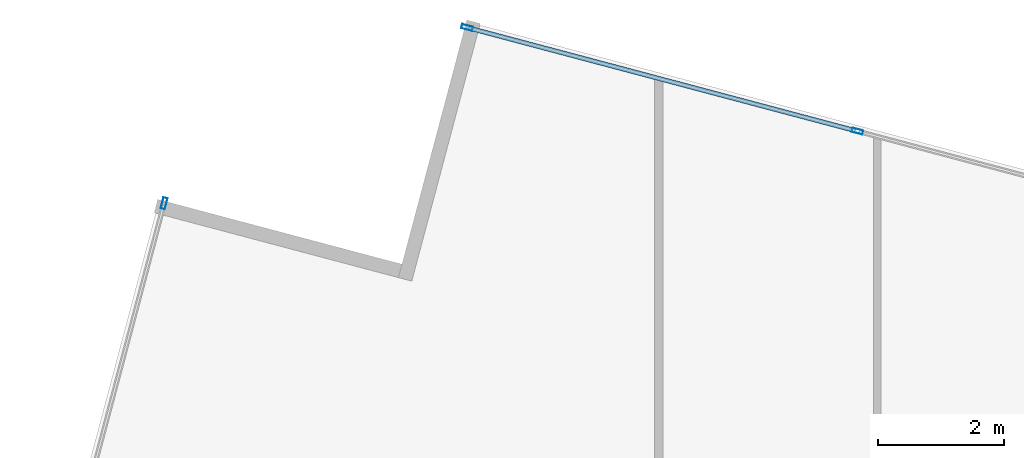
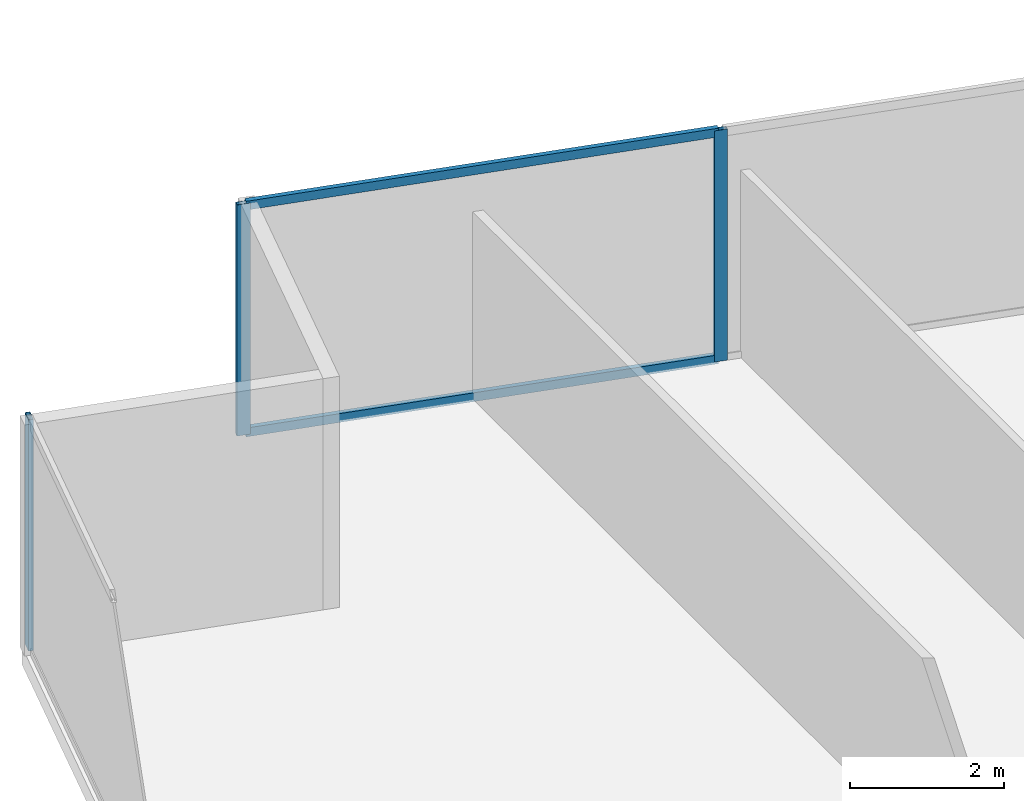
# One storey, part 17 of 27: 5 members, 2 elements without a shape of their own.
"""IFC4 building model written with IfcOpenShell, lengths in metres."""

import ifcopenshell
import ifcopenshell.guid

model = None  # the IFC model being written
_history = None  # IfcOwnerHistory: only IFC2X3 demands one
_inside = {}  # id of a spatial element -> (the spatial element, [elements in it])
_under = {}  # id of a project, library or spatial element -> (it, [spatial elements below it])
_declared = {}  # id of a project -> (the project, [libraries it declares])
_typed = {}  # id of a type object -> (the type object, [elements of that type])
_made_of = {}  # id of a material, layer set ... -> (it, [elements and type objects made of it])


def new_model(schema):
    """Start an empty IFC model of exactly this schema.

    Asked for "IFC4X3", IfcOpenShell would pick the latest addendum, in which some entities
    have other attributes; the version numbers below select the first issue.
    IFC2X3 requires an IfcOwnerHistory on every rooted entity: one is made here for all.
    """
    global model, _history
    if schema == "IFC4X3":
        model = ifcopenshell.file(schema_version=(4, 3, 0, 0))
    else:
        model = ifcopenshell.file(schema=schema)
    _inside.clear()
    _under.clear()
    _declared.clear()
    _typed.clear()
    _made_of.clear()
    _history = None
    if model.schema == "IFC2X3":
        org = make("IfcOrganization", Name="unknown")
        user = make(
            "IfcPersonAndOrganization",
            ThePerson=make("IfcPerson", FamilyName="unknown"),
            TheOrganization=org,
        )
        app = make(
            "IfcApplication",
            ApplicationDeveloper=org,
            Version="unknown",
            ApplicationFullName="unknown",
            ApplicationIdentifier="unknown",
        )
        _history = make(
            "IfcOwnerHistory",
            OwningUser=user,
            OwningApplication=app,
            ChangeAction="ADDED",
            CreationDate=0,
        )
    return model


def make(cls, **values):
    """One entity of the class cls with the attributes given. An attribute that is None is left unset."""
    return model.create_entity(
        cls, **{name: value for name, value in values.items() if value is not None}
    )


def rooted(cls, **values):
    """An entity with a GlobalId (a new one), such as an element, a storey or a relation."""
    return make(cls, GlobalId=ifcopenshell.guid.new(), OwnerHistory=_history, **values)


def si_unit(unit_type, name, prefix=None):
    """IfcSIUnit, for example si_unit("LENGTHUNIT", "METRE", prefix="MILLI")."""
    return make("IfcSIUnit", UnitType=unit_type, Prefix=prefix, Name=name)


def assignment(units):
    """IfcUnitAssignment: the units of a project."""
    return None if units is None else make("IfcUnitAssignment", Units=units)


def point(xyz):
    """IfcCartesianPoint."""
    return None if xyz is None else make("IfcCartesianPoint", Coordinates=xyz)


def direction(xyz):
    """IfcDirection."""
    return None if xyz is None else make("IfcDirection", DirectionRatios=xyz)


def frame(location, z_axis=None, x_axis=None):
    """IfcAxis2Placement3D, a coordinate frame: its origin and axes. An axis left out is left unset."""
    return make(
        "IfcAxis2Placement3D",
        Location=point(location),
        Axis=direction(z_axis),
        RefDirection=direction(x_axis),
    )


def frame_2d(location, x_axis=None):
    """IfcAxis2Placement2D, a coordinate frame in the plane: its origin and x axis."""
    return make(
        "IfcAxis2Placement2D", Location=point(location), RefDirection=direction(x_axis)
    )


def origin():
    """The frame at (0, 0, 0) with its axes left unset."""
    return frame((0.0, 0.0, 0.0))


def origin_2d():
    """The frame at (0, 0) in the plane with its x axis left unset."""
    return frame_2d((0.0, 0.0))


def place(relative_to, where):
    """IfcLocalPlacement: puts the frame where relative to a parent placement (None: the world)."""
    return make(
        "IfcLocalPlacement", PlacementRelTo=relative_to, RelativePlacement=where
    )


def context(
    kind, dimensions, precision=None, world=None, true_north=None, identifier=None
):
    """IfcGeometricRepresentationContext, for example the 3D "Model" context."""
    return make(
        "IfcGeometricRepresentationContext",
        ContextIdentifier=identifier,
        ContextType=kind,
        CoordinateSpaceDimension=dimensions,
        Precision=precision,
        WorldCoordinateSystem=world,
        TrueNorth=true_north,
    )


def subcontext(parent, identifier, kind, view, scale=None):
    """IfcGeometricRepresentationSubContext, for example "Body" below "Model"."""
    return make(
        "IfcGeometricRepresentationSubContext",
        ContextIdentifier=identifier,
        ContextType=kind,
        ParentContext=parent,
        TargetScale=scale,
        TargetView=view,
    )


def project(units=None, contexts=None):
    """IfcProject with its units and contexts."""
    return rooted(
        "IfcProject",
        Name="project",
        RepresentationContexts=contexts,
        UnitsInContext=assignment(units),
    )


def spatial(cls, under=None, at=None, **own):
    """A site, building, storey or space (cls), placed at a placement, below another one or the project."""
    s = rooted(cls, ObjectPlacement=at, **own)
    if under is not None:
        _under.setdefault(under.id(), (under, []))[1].append(s)
    return s


def profile(cls, at=None, kind="AREA", **sizes):
    """A parametric profile (cls). Its sizes go by their IFC names, for example OverallWidth=200.0."""
    return make(cls, ProfileType=kind, Position=at, **sizes)


def hollow_rectangle(**sizes):
    """IfcRectangleHollowProfileDef."""
    return profile("IfcRectangleHollowProfileDef", **sizes)


def extrude(swept, where, along, depth):
    """IfcExtrudedAreaSolid: the profile swept, set in the frame where, extruded along a direction by depth."""
    return make(
        "IfcExtrudedAreaSolid",
        SweptArea=swept,
        Position=where,
        ExtrudedDirection=direction(along),
        Depth=depth,
    )


def shape(context_of_items, identifier, shape_type, items):
    """IfcShapeRepresentation: the items that make up one representation, for example the "Body"."""
    return make(
        "IfcShapeRepresentation",
        ContextOfItems=context_of_items,
        RepresentationIdentifier=identifier,
        RepresentationType=shape_type,
        Items=items,
    )


def source(mapping_origin, context_of_items, identifier, shape_type, items):
    """IfcRepresentationMap: a shape defined once, which mapped items show again and again."""
    return make(
        "IfcRepresentationMap",
        MappingOrigin=mapping_origin,
        MappedRepresentation=shape(context_of_items, identifier, shape_type, items),
    )


def transform(
    local_origin,
    x_axis=None,
    y_axis=None,
    z_axis=None,
    scale=None,
    scale2=None,
    scale3=None,
    uniform=True,
):
    """IfcCartesianTransformationOperator3D, or its non-uniform kind. x_axis, y_axis, z_axis: its Axis1, 2, 3."""
    if uniform:
        return make(
            "IfcCartesianTransformationOperator3D",
            Axis1=direction(x_axis),
            Axis2=direction(y_axis),
            LocalOrigin=point(local_origin),
            Scale=scale,
            Axis3=direction(z_axis),
        )
    return make(
        "IfcCartesianTransformationOperator3DnonUniform",
        Axis1=direction(x_axis),
        Axis2=direction(y_axis),
        LocalOrigin=point(local_origin),
        Scale=scale,
        Axis3=direction(z_axis),
        Scale2=scale2,
        Scale3=scale3,
    )


def mapped(mapping_source, mapping_target):
    """IfcMappedItem: shows the shape of a source again, moved by a transform."""
    return make(
        "IfcMappedItem", MappingSource=mapping_source, MappingTarget=mapping_target
    )


def material(Name=None, Category=None):
    """IfcMaterial."""
    return make("IfcMaterial", Name=Name, Category=Category)


def material_profile(
    of_material, cross_section, Name=None, Category=None, Priority=None
):
    """IfcMaterialProfile: a cross section and its material."""
    return make(
        "IfcMaterialProfile",
        Name=Name,
        Material=of_material,
        Profile=cross_section,
        Priority=Priority,
        Category=Category,
    )


def profile_set(profiles, Name=None, composite=None):
    """IfcMaterialProfileSet."""
    return make(
        "IfcMaterialProfileSet",
        Name=Name,
        MaterialProfiles=profiles,
        CompositeProfile=composite,
    )


def made_of(thing, what):
    """Note that an element or type object is made of a material, layer set ...; save() writes the relation."""
    if what is not None:
        _made_of.setdefault(what.id(), (what, []))[1].append(thing)
    return thing


def type_object(cls, material=None, **own):
    """A type object (cls), such as IfcWallType, which elements share."""
    return made_of(rooted(cls, **own), material)


def type_shapes(of_type, sources):
    """Give a type object the sources (RepresentationMaps) that its elements show as mapped items."""
    of_type.RepresentationMaps = sources


def element(
    cls,
    number,
    at=None,
    inside=None,
    cuts=None,
    type_object=None,
    material=None,
    context=None,
    identifier="Body",
    shape_type=None,
    held_by="IfcProductDefinitionShape",
    body=None,
    shapes=None,
    **own,
):
    """One element of the class cls, such as IfcWall. Its Tag is "e" and its number.

    at: its placement. inside: the storey or other place that contains it. cuts: it is an
    opening in that element (IfcRelVoidsElement). A single representation is given by context,
    identifier, shape_type and body (its items); several are given by shapes. held_by: the class
    of the entity that holds the representations. save() writes the other relations.
    """
    e = rooted(cls, Tag="e%d" % number, ObjectPlacement=at, **own)
    if body is not None:
        shapes = [shape(context, identifier, shape_type, body)]
    if shapes is not None:
        e.Representation = make(held_by, Representations=shapes)
    if inside is not None:
        _inside.setdefault(inside.id(), (inside, []))[1].append(e)
    if cuts is not None:
        rooted(
            "IfcRelVoidsElement", RelatingBuildingElement=cuts, RelatedOpeningElement=e
        )
    if type_object is not None:
        _typed.setdefault(type_object.id(), (type_object, []))[1].append(e)
    return made_of(e, material)


def aggregate(whole, parts):
    """IfcRelAggregates: a whole, such as a stair, and the parts it consists of."""
    return rooted("IfcRelAggregates", RelatingObject=whole, RelatedObjects=parts)


def save(model, path):
    """Write the relations noted so far, then the file.

    IfcRelAggregates (storeys below a building ...), IfcRelContainedInSpatialStructure (elements
    in a storey), IfcRelDefinesByType, IfcRelAssociatesMaterial and IfcRelDeclares: one each for
    every whole, place, type object, material and project.
    """
    for whole, parts in _under.values():
        aggregate(whole, parts)
    for where, things in _inside.values():
        rooted(
            "IfcRelContainedInSpatialStructure",
            RelatedElements=things,
            RelatingStructure=where,
        )
    for kind, things in _typed.values():
        rooted("IfcRelDefinesByType", RelatedObjects=things, RelatingType=kind)
    for what, things in _made_of.values():
        rooted("IfcRelAssociatesMaterial", RelatedObjects=things, RelatingMaterial=what)
    for by, libraries in _declared.values():
        rooted("IfcRelDeclares", RelatingContext=by, RelatedDefinitions=libraries)
    model.write(path)


model = new_model("IFC4")

# Units and contexts
model_context = context("Model", 3, precision=1e-05, world=origin(), true_north=direction((0.0, 1.0)))
body_context = subcontext(model_context, "Body", "Model", "MODEL_VIEW")
ifc_project = project(units=[si_unit("LENGTHUNIT", "METRE"), si_unit("AREAUNIT", "SQUARE_METRE"), si_unit("VOLUMEUNIT", "CUBIC_METRE"), si_unit("PLANEANGLEUNIT", "RADIAN"), si_unit("MASSUNIT", "GRAM", prefix="KILO")], contexts=[model_context])

# Site, building, storey
site_placement = place(None, origin())
site = spatial("IfcSite", under=ifc_project, at=site_placement, CompositionType="ELEMENT")
building_placement = place(site_placement, origin())
building = spatial("IfcBuilding", under=site, at=building_placement, Name="Krantzveldt Concourse Tower", CompositionType="ELEMENT")
storey_placement = place(building_placement, frame((0.0, 0.0, 105.85009765625)))
storey = spatial("IfcBuildingStorey", under=building, at=storey_placement, Name="L25", CompositionType="ELEMENT", Elevation=105.85009765625)

# Curtain wall, member
ifc_material = material(Name="Anodised aluminium 6063-T6", Category="aluminium")
curtain_wall_type = type_object("IfcCurtainWallType", Name="CW2", PredefinedType="USERDEFINED", material=ifc_material)
curtain_wall_1_placement = place(storey_placement, origin())
curtain_wall_1 = element("IfcCurtainWall", 1, at=curtain_wall_1_placement, inside=storey, type_object=curtain_wall_type, Name="CW-L25-F01", ObjectType="UNITISED CURTAIN WALL", PredefinedType="USERDEFINED")
ifc_material_profile_1 = material_profile(ifc_material, hollow_rectangle(XDim=0.070068359375, YDim=0.179931640625, WallThickness=0.0048828125, at=origin_2d()), Name="Anodised aluminium 6063-T6", Category="aluminium")
ifc_profile_set_1 = profile_set([ifc_material_profile_1], Name="Anodised aluminium 6063-T6 - ALU-MULL 180x70x5")
member_type_1 = type_object("IfcMemberType", Name="CW-MUL-180", PredefinedType="MULLION", material=ifc_profile_set_1)
shared_shape_1 = source(origin(), body_context, "Body", "SweptSolid", [
    extrude(hollow_rectangle(XDim=0.070068359375, YDim=0.179931640625, WallThickness=0.0048828125, at=origin_2d()), origin(), (0.0, 0.0, 1.0), 3.669921875),
])
type_shapes(member_type_1, [shared_shape_1])
member_1_placement = place(storey_placement, frame((18.4423828125, 51.39990234375, 0.0), z_axis=(0.0, 0.0, 1.0), x_axis=(0.966488186373, -0.256711093648, 0.0)))
member_1 = element("IfcMember", 2, at=member_1_placement, type_object=member_type_1, Name="CW-Z12 mullion 1", PredefinedType="MULLION", context=body_context, shape_type="MappedRepresentation", body=[
    mapped(shared_shape_1, transform((0.0, 0.0, 0.0), x_axis=(1.0, 0.0, 0.0), y_axis=(0.0, 1.0, 0.0), z_axis=(0.0, 0.0, 1.0), scale=1.0)),
])
aggregate(curtain_wall_1, [member_1])

# Curtain wall, members
curtain_wall_2_placement = place(storey_placement, origin())
curtain_wall_2 = element("IfcCurtainWall", 3, at=curtain_wall_2_placement, inside=storey, type_object=curtain_wall_type, Name="CW-L25-F14", ObjectType="UNITISED CURTAIN WALL", PredefinedType="USERDEFINED")
member_2_placement = place(storey_placement, frame((29.484130859375, 52.549072265625, 0.0), z_axis=(0.0, 0.0, 1.0), x_axis=(-0.256711093648, -0.966488186373, 0.0)))
member_2 = element("IfcMember", 4, at=member_2_placement, type_object=member_type_1, Name="CW-Z12 mullion 6", PredefinedType="MULLION", context=body_context, shape_type="MappedRepresentation", body=[
    mapped(shared_shape_1, transform((0.0, 0.0, 0.0), x_axis=(1.0, 0.0, 0.0), y_axis=(0.0, 1.0, 0.0), z_axis=(0.0, 0.0, 1.0), scale=1.0)),
])
member_3_placement = place(storey_placement, frame((23.267822265625, 54.199951171875, 0.0), z_axis=(0.0, 0.0, 1.0), x_axis=(-0.256711093648, -0.966488186373, 0.0)))
member_3 = element("IfcMember", 5, at=member_3_placement, type_object=member_type_1, Name="CW-Z12 mullion 7", PredefinedType="MULLION", context=body_context, shape_type="MappedRepresentation", body=[
    mapped(shared_shape_1, transform((0.0, 0.0, 0.0), x_axis=(1.0, 0.0, 0.0), y_axis=(0.0, 1.0, 0.0), z_axis=(0.0, 0.0, 1.0), scale=1.0)),
])
ifc_material_profile_2 = material_profile(ifc_material, hollow_rectangle(XDim=0.070068359375, YDim=0.139892578125, WallThickness=0.0048828125, at=origin_2d()), Name="Anodised aluminium 6063-T6", Category="aluminium")
ifc_profile_set_2 = profile_set([ifc_material_profile_2], Name="Anodised aluminium 6063-T6 - ALU-TRAN 140x70x5")
member_type_2 = type_object("IfcMemberType", Name="CW-TRN-150", PredefinedType="USERDEFINED", material=ifc_profile_set_2)
shared_shape_2 = source(origin(), body_context, "Body", "SweptSolid", [
    extrude(hollow_rectangle(XDim=0.070068359375, YDim=0.139892578125, WallThickness=0.0048828125, at=origin_2d()), origin(), (0.0, 0.0, 1.0), 6.361572265625),
])
type_shapes(member_type_2, [shared_shape_2])
member_4_placement = place(storey_placement, frame((29.4501953125, 52.557861328125, 0.034912109375), z_axis=(-0.966480365766, 0.256740535538, 0.0), x_axis=(-0.256740535538, -0.966480365766, 0.0)))
member_4 = element("IfcMember", 6, at=member_4_placement, type_object=member_type_2, Name="CW-Z12 transom 6.1", ObjectType="TRANSOM", PredefinedType="USERDEFINED", context=body_context, shape_type="MappedRepresentation", body=[
    mapped(shared_shape_2, transform((0.0, 0.0, 0.0), x_axis=(1.0, 0.0, 0.0), y_axis=(0.0, 1.0, 0.0), z_axis=(0.0, 0.0, 1.0), scale=1.0)),
])
member_5_placement = place(storey_placement, frame((29.4501953125, 52.557861328125, 3.635009765625), z_axis=(-0.966480365766, 0.256740535538, 0.0), x_axis=(-0.256740535538, -0.966480365766, 0.0)))
member_5 = element("IfcMember", 7, at=member_5_placement, type_object=member_type_2, Name="CW-Z12 transom 6.2", ObjectType="TRANSOM", PredefinedType="USERDEFINED", context=body_context, shape_type="MappedRepresentation", body=[
    mapped(shared_shape_2, transform((0.0, 0.0, 0.0), x_axis=(1.0, 0.0, 0.0), y_axis=(0.0, 1.0, 0.0), z_axis=(0.0, 0.0, 1.0), scale=1.0)),
])
aggregate(curtain_wall_2, [member_2, member_3, member_4, member_5])

save(model, "model.ifc")
